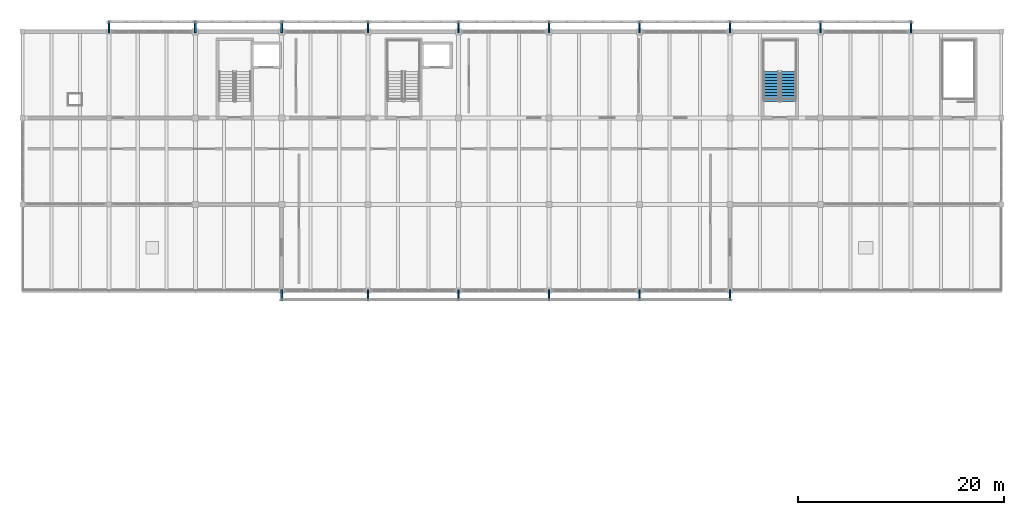
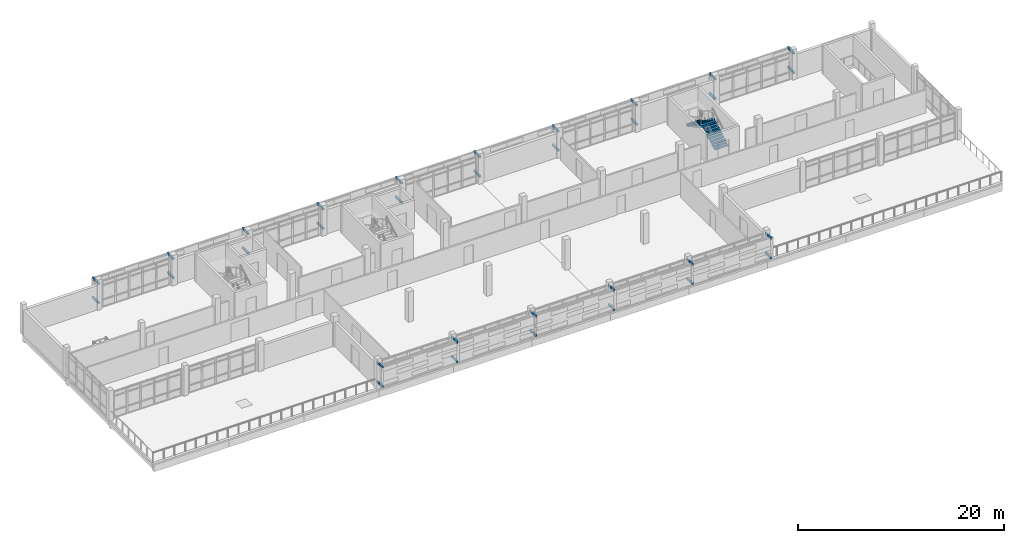
# One storey, part 46 of 50: 32 discrete accessories, 2 stair flights, 1 element without a shape of its own.
"""IFC4 building model written with IfcOpenShell, lengths in metres."""

from ifc_helpers import new_model, si_unit, direction, frame, origin, origin_2d, place, context, subcontext, project, spatial, polyline, rectangle, outline, extrude, material, type_object, element, aggregate, save


model = new_model("IFC4")

# Units and contexts
model_context = context("Model", 3, precision=1e-05, world=origin(), true_north=direction((0.0, 1.0)))
body_context = subcontext(model_context, "Body", "Model", "MODEL_VIEW")
ifc_project = project(units=[si_unit("LENGTHUNIT", "METRE"), si_unit("AREAUNIT", "SQUARE_METRE"), si_unit("VOLUMEUNIT", "CUBIC_METRE"), si_unit("PLANEANGLEUNIT", "RADIAN"), si_unit("MASSUNIT", "GRAM", prefix="KILO")], contexts=[model_context])

# Site, building, storey
site_placement = place(None, origin())
site = spatial("IfcSite", under=ifc_project, at=site_placement, CompositionType="ELEMENT")
building_placement = place(site_placement, origin())
building = spatial("IfcBuilding", under=site, at=building_placement, Name="Cinderway Yard Community Centre", CompositionType="ELEMENT")
storey_placement = place(building_placement, frame((0.0, 0.0, 12.89990234375)))
storey = spatial("IfcBuildingStorey", under=building, at=storey_placement, Name="L03", CompositionType="ELEMENT", Elevation=12.89990234375)

# Stair, stair flights
ifc_material_1 = material(Name="Concrete C40/50", Category="concrete")
stair_type = type_object("IfcStairType", Name="INT-STR-360A", PredefinedType="HALF_TURN_STAIR", material=ifc_material_1)
stair_placement = place(storey_placement, origin())
stair = element("IfcStair", 1, at=stair_placement, inside=storey, type_object=stair_type, Name="L03 Core C2B Exit Stair ST-03", PredefinedType="HALF_TURN_STAIR")
stair_flight_type = type_object("IfcStairFlightType", Name="INT-FLT-360A", PredefinedType="STRAIGHT", material=ifc_material_1)
stair_flight_1_placement = place(storey_placement, frame((116.06005859375, 108.429931640625, 0.0), z_axis=(0.0, 0.0, 1.0), x_axis=(0.0, 1.0, 0.0)))
stair_flight_1 = element("IfcStairFlight", 2, at=stair_flight_1_placement, type_object=stair_flight_type, Name="ST-03 flight 1", NumberOfRisers=11, NumberOfTreads=10, PredefinedType="STRAIGHT", RiserHeight=0.163636364, TreadLength=0.29, context=body_context, shape_type="SweptSolid", body=[
    extrude(outline(polyline([(0.0, 0.0), (0.0, 0.16357421875), (0.2900390625, 0.16357421875), (0.2900390625, 0.327392578125), (0.580078125, 0.327392578125), (0.580078125, 0.490966796875), (0.8701171875, 0.490966796875), (0.8701171875, 0.654541015625), (1.159912109375, 0.654541015625), (1.159912109375, 0.818115234375), (1.449951171875, 0.818115234375), (1.449951171875, 0.98193359375), (1.739990234375, 0.98193359375), (1.739990234375, 1.1455078125), (2.030029296875, 1.1455078125), (2.030029296875, 1.30908203125), (2.320068359375, 1.30908203125), (2.320068359375, 1.47265625), (2.610107421875, 1.47265625), (2.610107421875, 1.636474609375), (2.89990234375, 1.636474609375), (2.89990234375, 1.800048828125), (2.89990234375, 1.45263671875), (0.325439453125, 0.0), (0.0, 0.0)])), frame((0.0, 0.739990234375, 0.0), z_axis=(0.0, -1.0, 0.0), x_axis=(1.0, 0.0, 0.0)), (0.0, 0.0, 1.0), 1.47998046875),
])
stair_flight_2_placement = place(storey_placement, frame((114.419921875, 111.330078125, 1.800048828125), z_axis=(0.0, 0.0, 1.0), x_axis=(0.0, -1.0, 0.0)))
stair_flight_2 = element("IfcStairFlight", 3, at=stair_flight_2_placement, type_object=stair_flight_type, Name="ST-03 flight 2", NumberOfRisers=11, NumberOfTreads=10, PredefinedType="STRAIGHT", RiserHeight=0.163636364, TreadLength=0.29, context=body_context, shape_type="SweptSolid", body=[
    extrude(outline(polyline([(0.0, 0.0), (0.0, 0.16357421875), (0.2900390625, 0.16357421875), (0.2900390625, 0.327392578125), (0.580078125, 0.327392578125), (0.580078125, 0.490966796875), (0.8701171875, 0.490966796875), (0.8701171875, 0.654541015625), (1.159912109375, 0.654541015625), (1.159912109375, 0.818115234375), (1.449951171875, 0.818115234375), (1.449951171875, 0.98193359375), (1.739990234375, 0.98193359375), (1.739990234375, 1.1455078125), (2.030029296875, 1.1455078125), (2.030029296875, 1.30908203125), (2.320068359375, 1.30908203125), (2.320068359375, 1.47265625), (2.610107421875, 1.47265625), (2.610107421875, 1.636474609375), (2.89990234375, 1.636474609375), (2.89990234375, 1.800048828125), (2.89990234375, 1.45263671875), (0.325439453125, 0.0), (0.0, 0.0)])), frame((0.0, 0.739990234375, 0.0), z_axis=(0.0, -1.0, 0.0), x_axis=(1.0, 0.0, 0.0)), (0.0, 0.0, 1.0), 1.47998046875),
])
aggregate(stair, [stair_flight_1, stair_flight_2])

# Discrete accessories
ifc_material_2 = material(Name="Steel S355", Category="steel")
discrete_accessory_type = type_object("IfcDiscreteAccessoryType", Name="ENV-ACC-BRACKET", PredefinedType="BRACKET", material=ifc_material_2)
for number, where, z_axis, x_axis, name in (
    (4, (50.0, 115.675048828125, 0.6201171875), (0.0, 0.0, 1.0), (0.0, 1.0, 0.0), "Screen outrigger bracket 0103"),
    (5, (50.0, 115.675048828125, 2.91015625), (0.0, 0.0, 1.0), (0.0, 1.0, 0.0), "Screen outrigger bracket 0104"),
    (6, (58.39990234375, 115.675048828125, 0.6201171875), (0.0, 0.0, 1.0), (0.0, 1.0, 0.0), "Screen outrigger bracket 0107"),
    (7, (58.39990234375, 115.675048828125, 2.91015625), (0.0, 0.0, 1.0), (0.0, 1.0, 0.0), "Screen outrigger bracket 0108"),
    (8, (66.800048828125, 115.675048828125, 0.6201171875), (0.0, 0.0, 1.0), (0.0, 1.0, 0.0), "Screen outrigger bracket 0111"),
    (9, (66.800048828125, 115.675048828125, 2.91015625), (0.0, 0.0, 1.0), (0.0, 1.0, 0.0), "Screen outrigger bracket 0112"),
    (10, (75.199951171875, 115.675048828125, 0.6201171875), (0.0, 0.0, 1.0), (0.0, 1.0, 0.0), "Screen outrigger bracket 0115"),
    (11, (75.199951171875, 115.675048828125, 2.91015625), (0.0, 0.0, 1.0), (0.0, 1.0, 0.0), "Screen outrigger bracket 0116"),
    (12, (84.0, 115.675048828125, 0.6201171875), (0.0, 0.0, 1.0), (0.0, 1.0, 0.0), "Screen outrigger bracket 0119"),
    (13, (84.0, 115.675048828125, 2.91015625), (0.0, 0.0, 1.0), (0.0, 1.0, 0.0), "Screen outrigger bracket 0120"),
    (14, (92.800048828125, 115.675048828125, 0.6201171875), (0.0, 0.0, 1.0), (0.0, 1.0, 0.0), "Screen outrigger bracket 0123"),
    (15, (92.800048828125, 115.675048828125, 2.91015625), (0.0, 0.0, 1.0), (0.0, 1.0, 0.0), "Screen outrigger bracket 0124"),
    (16, (101.60009765625, 115.675048828125, 0.6201171875), (0.0, 0.0, 1.0), (0.0, 1.0, 0.0), "Screen outrigger bracket 0127"),
    (17, (101.60009765625, 115.675048828125, 2.91015625), (0.0, 0.0, 1.0), (0.0, 1.0, 0.0), "Screen outrigger bracket 0128"),
    (18, (110.39990234375, 115.675048828125, 0.6201171875), (0.0, 0.0, 1.0), (0.0, 1.0, 0.0), "Screen outrigger bracket 0131"),
    (19, (110.39990234375, 115.675048828125, 2.91015625), (0.0, 0.0, 1.0), (0.0, 1.0, 0.0), "Screen outrigger bracket 0132"),
    (20, (119.199951171875, 115.675048828125, 0.6201171875), (0.0, 0.0, 1.0), (0.0, 1.0, 0.0), "Screen outrigger bracket 0135"),
    (21, (119.199951171875, 115.675048828125, 2.91015625), (0.0, 0.0, 1.0), (0.0, 1.0, 0.0), "Screen outrigger bracket 0136"),
    (22, (128.0, 115.675048828125, 0.6201171875), (0.0, 0.0, 1.0), (0.0, 1.0, 0.0), "Screen outrigger bracket 0139"),
    (23, (128.0, 115.675048828125, 2.91015625), (0.0, 0.0, 1.0), (0.0, 1.0, 0.0), "Screen outrigger bracket 0140"),
):
    element("IfcDiscreteAccessory", number, at=place(storey_placement, frame(where, z_axis=z_axis, x_axis=x_axis)), inside=storey, type_object=discrete_accessory_type, Name=name, PredefinedType="BRACKET", context=body_context, shape_type="SweptSolid", body=[
        extrude(rectangle(XDim=1.18994140625, YDim=0.179931640625, at=origin_2d()), origin(), (0.0, 0.0, 1.0), 0.219970703125),
    ])
for number, where, z_axis, x_axis, name in (
    (24, (66.800048828125, 89.574951171875, 0.6201171875), (0.0, 0.0, 1.0), (0.0, -1.0, 0.0), "Screen outrigger bracket 0275"),
    (25, (66.800048828125, 89.574951171875, 2.91015625), (0.0, 0.0, 1.0), (0.0, -1.0, 0.0), "Screen outrigger bracket 0276"),
    (26, (75.199951171875, 89.574951171875, 0.6201171875), (0.0, 0.0, 1.0), (0.0, -1.0, 0.0), "Screen outrigger bracket 0279"),
    (27, (75.199951171875, 89.574951171875, 2.91015625), (0.0, 0.0, 1.0), (0.0, -1.0, 0.0), "Screen outrigger bracket 0280"),
    (28, (84.0, 89.574951171875, 0.6201171875), (0.0, 0.0, 1.0), (0.0, -1.0, 0.0), "Screen outrigger bracket 0283"),
    (29, (84.0, 89.574951171875, 2.91015625), (0.0, 0.0, 1.0), (0.0, -1.0, 0.0), "Screen outrigger bracket 0284"),
    (30, (92.800048828125, 89.574951171875, 0.6201171875), (0.0, 0.0, 1.0), (0.0, -1.0, 0.0), "Screen outrigger bracket 0287"),
    (31, (92.800048828125, 89.574951171875, 2.91015625), (0.0, 0.0, 1.0), (0.0, -1.0, 0.0), "Screen outrigger bracket 0288"),
    (32, (101.60009765625, 89.574951171875, 0.6201171875), (0.0, 0.0, 1.0), (0.0, -1.0, 0.0), "Screen outrigger bracket 0291"),
    (33, (101.60009765625, 89.574951171875, 2.91015625), (0.0, 0.0, 1.0), (0.0, -1.0, 0.0), "Screen outrigger bracket 0292"),
    (34, (110.39990234375, 89.574951171875, 0.6201171875), (0.0, 0.0, 1.0), (0.0, -1.0, 0.0), "Screen outrigger bracket 0295"),
    (35, (110.39990234375, 89.574951171875, 2.91015625), (0.0, 0.0, 1.0), (0.0, -1.0, 0.0), "Screen outrigger bracket 0296"),
):
    element("IfcDiscreteAccessory", number, at=place(storey_placement, frame(where, z_axis=z_axis, x_axis=x_axis)), inside=storey, type_object=discrete_accessory_type, Name=name, PredefinedType="BRACKET", context=body_context, shape_type="SweptSolid", body=[
        extrude(rectangle(XDim=1.090087890625, YDim=0.179931640625, at=origin_2d()), origin(), (0.0, 0.0, 1.0), 0.219970703125),
    ])

save(model, "model.ifc")
